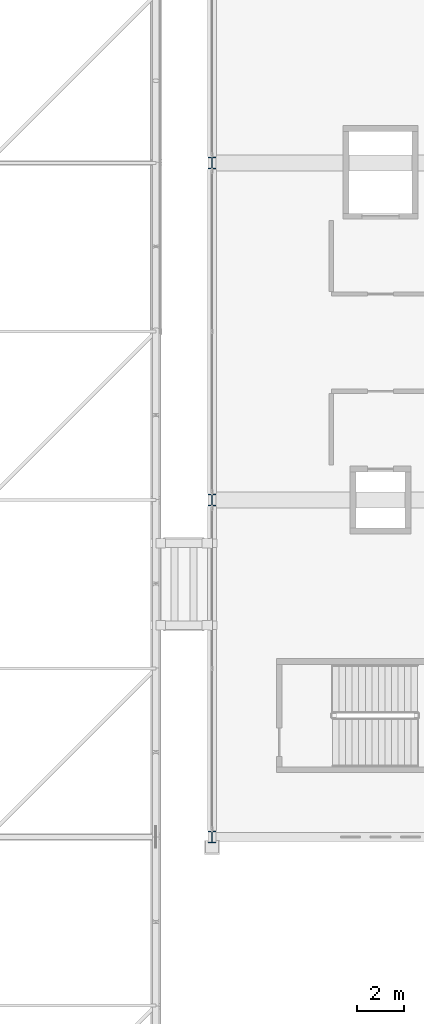
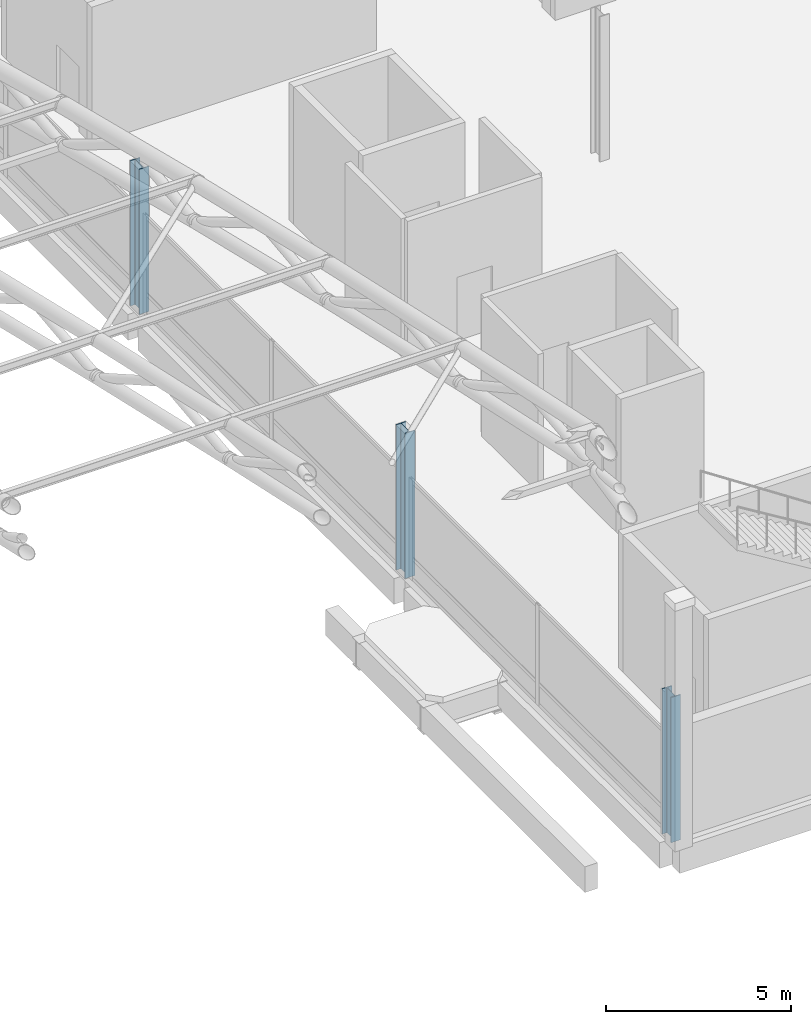
# One storey, part 9 of 193: 3 columns.
"""IFC4 building model written with IfcOpenShell, lengths in metres."""

from ifc_helpers import new_model, si_unit, direction, frame, origin, origin_2d, place, context, subcontext, project, spatial, i_section, extrude, material, material_profile, profile_set, type_object, element, save


model = new_model("IFC4")

# Units and contexts
model_context = context("Model", 3, precision=1e-05, world=origin(), true_north=direction((0.0, 1.0)))
body_context = subcontext(model_context, "Body", "Model", "MODEL_VIEW")
ifc_project = project(units=[si_unit("LENGTHUNIT", "METRE"), si_unit("AREAUNIT", "SQUARE_METRE"), si_unit("VOLUMEUNIT", "CUBIC_METRE"), si_unit("PLANEANGLEUNIT", "RADIAN"), si_unit("MASSUNIT", "GRAM", prefix="KILO")], contexts=[model_context])

# Site, building, storey
site_placement = place(None, origin())
site = spatial("IfcSite", under=ifc_project, at=site_placement, CompositionType="ELEMENT")
building_placement = place(site_placement, origin())
building = spatial("IfcBuilding", under=site, at=building_placement, Name="Cendralis Lancet Convention Centre", CompositionType="ELEMENT")
storey_placement = place(building_placement, frame((0.0, 0.0, 10.199951171875)))
storey = spatial("IfcBuildingStorey", under=building, at=storey_placement, Name="L02", CompositionType="ELEMENT", Elevation=10.199951171875)

# Columns
ifc_material = material(Name="Steel S355", Category="steel")
ifc_material_profile = material_profile(ifc_material, i_section(OverallWidth=0.300048828125, OverallDepth=0.5, WebThickness=0.014404296875, FlangeThickness=0.028076171875, FilletRadius=0.027099609375, at=origin_2d()), Name="HEB 500")
ifc_profile_set = profile_set([ifc_material_profile], Name="Steel S355")
column_type = type_object("IfcColumnType", Name="STR-COL-C23", PredefinedType="COLUMN", material=ifc_profile_set)
for number, where, z_axis, x_axis, name in (
    (1, (124.800048828125, 93.60009765625, 0.0), (0.0, 0.0, 1.0), (1.0, 0.0, 0.0), "L02 Column C23 at 124.8,93.6"),
    (2, (124.800048828125, 108.0, 0.0), (0.0, 0.0, 1.0), (1.0, 0.0, 0.0), "L02 Column C23 at 124.8,108.0"),
    (3, (124.800048828125, 122.39990234375, 0.0), (0.0, 0.0, 1.0), (1.0, 0.0, 0.0), "L02 Column C23 at 124.8,122.4"),
):
    element("IfcColumn", number, at=place(storey_placement, frame(where, z_axis=z_axis, x_axis=x_axis)), inside=storey, type_object=column_type, Name=name, PredefinedType="COLUMN", context=body_context, shape_type="SweptSolid", body=[
        extrude(i_section(OverallWidth=0.300048828125, OverallDepth=0.5, WebThickness=0.014404296875, FlangeThickness=0.028076171875, FilletRadius=0.027099609375, at=origin_2d()), origin(), (0.0, 0.0, 1.0), 4.800048828125),
    ])

save(model, "model.ifc")
